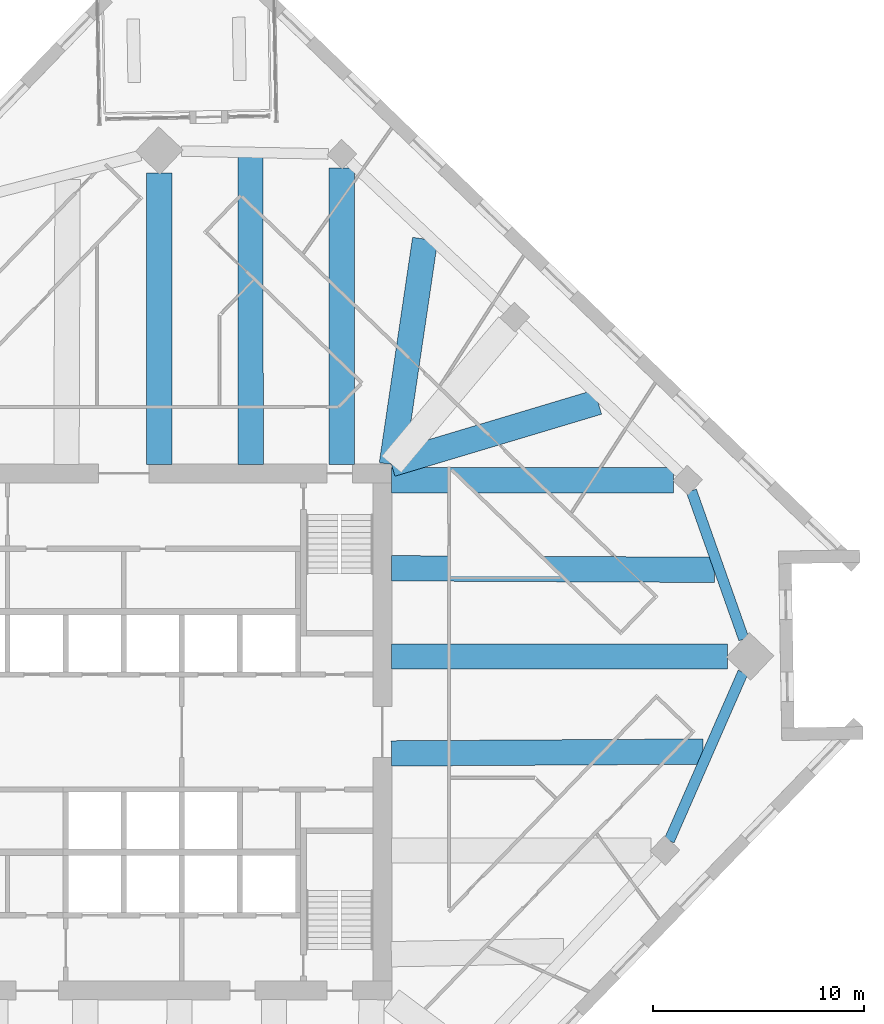
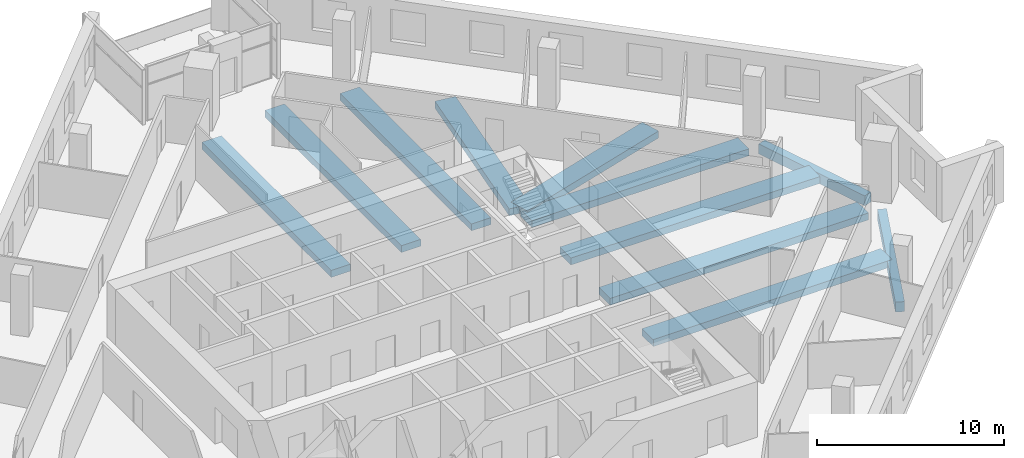
# One storey, part 3 of 13: 11 beams.
"""IFC4 building model written with IfcOpenShell, lengths in metres."""

from ifc_helpers import new_model, si_unit, direction, frame, origin, origin_2d, place, context, subcontext, project, spatial, rectangle, extrude, material, material_profile, profile_set, type_object, element, save


model = new_model("IFC4")

# Units and contexts
model_context = context("Model", 3, precision=1e-05, world=origin(), true_north=direction((0.0, 1.0)))
body_context = subcontext(model_context, "Body", "Model", "MODEL_VIEW")
ifc_project = project(units=[si_unit("LENGTHUNIT", "METRE"), si_unit("AREAUNIT", "SQUARE_METRE"), si_unit("VOLUMEUNIT", "CUBIC_METRE"), si_unit("PLANEANGLEUNIT", "RADIAN"), si_unit("MASSUNIT", "GRAM", prefix="KILO")], contexts=[model_context])

# Site, building, storey
site_placement = place(None, origin())
site = spatial("IfcSite", under=ifc_project, at=site_placement, CompositionType="ELEMENT")
building_placement = place(site_placement, origin())
building = spatial("IfcBuilding", under=site, at=building_placement, Name="Dilmun Exchange Tower", CompositionType="ELEMENT")
storey_placement = place(building_placement, frame((0.0, 0.0, 213.300048828125)))
storey = spatial("IfcBuildingStorey", under=building, at=storey_placement, Name="L50", CompositionType="ELEMENT", Elevation=213.300048828125)

# Beams
ifc_material = material(Name="Concrete C40/50", Category="concrete")
ifc_material_profile_1 = material_profile(ifc_material, rectangle(XDim=1.199951171875, YDim=0.449951171875, at=origin_2d()), Name="1200 x 450")
ifc_profile_set_1 = profile_set([ifc_material_profile_1], Name="Concrete C40/50")
beam_type_1 = type_object("IfcBeamType", Name="RC band beam 1200 x 450 C40/50", PredefinedType="BEAM", material=ifc_profile_set_1)
beam_1_placement = place(storey_placement, frame((1.68505859375, 26.465576171875, -0.705078125), z_axis=(0.0, -1.0, 0.0), x_axis=(1.0, 0.0, 0.0)))
element("IfcBeam", 1, at=beam_1_placement, inside=storey, type_object=beam_type_1, Name="Band beam 1", PredefinedType="BEAM", context=body_context, shape_type="SweptSolid", body=[
    extrude(rectangle(XDim=1.199951171875, YDim=0.449951171875, at=origin_2d()), origin(), (0.0, 0.0, 1.0), 13.79248046875),
])
beam_2_placement = place(storey_placement, frame((28.586669921875, 3.58203125, -0.705078125), z_axis=(-1.0, 0.0, 0.0), x_axis=(0.0, -1.0, 0.0)))
element("IfcBeam", 2, at=beam_2_placement, inside=storey, type_object=beam_type_1, Name="Band beam 13", PredefinedType="BEAM", context=body_context, shape_type="SweptSolid", body=[
    extrude(rectangle(XDim=1.199951171875, YDim=0.449951171875, at=origin_2d()), origin(), (0.0, 0.0, 1.0), 15.91357421875),
])
beam_3_placement = place(storey_placement, frame((26.0458984375, 11.930908203125, -0.705078125), z_axis=(-1.0, 0.0, 0.0), x_axis=(0.0, -1.0, 0.0)))
element("IfcBeam", 3, at=beam_3_placement, inside=storey, type_object=beam_type_1, Name="Band beam 14", PredefinedType="BEAM", context=body_context, shape_type="SweptSolid", body=[
    extrude(rectangle(XDim=1.199951171875, YDim=0.449951171875, at=origin_2d()), origin(), (0.0, 0.0, 1.0), 13.372802734375),
])
beam_4_placement = place(storey_placement, frame((10.3330078125, 26.703857421875, -0.705078125), z_axis=(0.0, -1.0, 0.0), x_axis=(1.0, 0.0, 0.0)))
element("IfcBeam", 4, at=beam_4_placement, inside=storey, type_object=beam_type_1, Name="Band beam 16", PredefinedType="BEAM", context=body_context, shape_type="SweptSolid", body=[
    extrude(rectangle(XDim=1.199951171875, YDim=0.449951171875, at=origin_2d()), origin(), (0.0, 0.0, 1.0), 14.03076171875),
])
beam_5_placement = place(storey_placement, frame((27.441650390625, -0.924072265625, -0.60498046875), z_axis=(-0.999981696912, -0.006050276087, 0.0), x_axis=(0.006050276087, -0.999981696912, 0.0)))
element("IfcBeam", 5, at=beam_5_placement, inside=storey, type_object=beam_type_1, Name="Band beam 28", PredefinedType="BEAM", context=body_context, shape_type="SweptSolid", body=[
    extrude(rectangle(XDim=1.199951171875, YDim=0.449951171875, at=origin_2d()), origin(), (0.0, 0.0, 1.0), 14.768798828125),
])
beam_6_placement = place(storey_placement, frame((27.972412109375, 7.68212890625, -0.60498046875), z_axis=(-0.99998815601, 0.004867015408, 0.0), x_axis=(-0.004867015408, -0.99998815601, 0.0)))
element("IfcBeam", 6, at=beam_6_placement, inside=storey, type_object=beam_type_1, Name="Band beam 29", PredefinedType="BEAM", context=body_context, shape_type="SweptSolid", body=[
    extrude(rectangle(XDim=1.199951171875, YDim=0.449951171875, at=origin_2d()), origin(), (0.0, 0.0, 1.0), 15.299560546875),
])
beam_7_placement = place(storey_placement, frame((22.4599609375, 15.626708984375, -0.60498046875), z_axis=(-0.957849959988, -0.287268957862, 0.0), x_axis=(0.287268957862, -0.957849959988, 0.0)))
element("IfcBeam", 7, at=beam_7_placement, inside=storey, type_object=beam_type_1, Name="Band beam 30", PredefinedType="BEAM", context=body_context, shape_type="SweptSolid", body=[
    extrude(rectangle(XDim=1.199951171875, YDim=0.449951171875, at=origin_2d()), origin(), (0.0, 0.0, 1.0), 10.21630859375),
])
beam_8_placement = place(storey_placement, frame((14.2734375, 23.34326171875, -0.60498046875), z_axis=(-0.146268101323, -0.989244986106, 0.0), x_axis=(0.989244986106, -0.146268101323, 0.0)))
element("IfcBeam", 8, at=beam_8_placement, inside=storey, type_object=beam_type_1, Name="Band beam 31", PredefinedType="BEAM", context=body_context, shape_type="SweptSolid", body=[
    extrude(rectangle(XDim=1.199951171875, YDim=0.449951171875, at=origin_2d()), origin(), (0.0, 0.0, 1.0), 10.785888671875),
])
beam_9_placement = place(storey_placement, frame((6.00439453125, 27.22802734375, -0.60498046875), z_axis=(0.000318701025, -0.999999949215, 0.0), x_axis=(0.999999949215, 0.000318701025, 0.0)))
element("IfcBeam", 9, at=beam_9_placement, inside=storey, type_object=beam_type_1, Name="Band beam 32", PredefinedType="BEAM", context=body_context, shape_type="SweptSolid", body=[
    extrude(rectangle(XDim=1.199951171875, YDim=0.449951171875, at=origin_2d()), origin(), (0.0, 0.0, 1.0), 14.554931640625),
])
ifc_material_profile_2 = material_profile(ifc_material, rectangle(XDim=0.5, YDim=0.64990234375, at=origin_2d()), Name="500 x 650")
ifc_profile_set_2 = profile_set([ifc_material_profile_2], Name="Concrete C40/50")
beam_type_2 = type_object("IfcBeamType", Name="RC ring beam 500 x 650 C40/50", PredefinedType="SPANDREL", material=ifc_profile_set_2)
beam_10_placement = place(storey_placement, frame((25.835205078125, -5.1474609375, -0.705078125), z_axis=(0.401239440722, 0.915973204416, 0.0), x_axis=(-0.915973204416, 0.401239440722, 0.0)))
element("IfcBeam", 10, at=beam_10_placement, inside=storey, type_object=beam_type_2, Name="Ring beam 12", PredefinedType="SPANDREL", context=body_context, shape_type="SweptSolid", body=[
    extrude(rectangle(XDim=0.5, YDim=0.64990234375, at=origin_2d()), origin(), (0.0, 0.0, 1.0), 8.707763671875),
])
beam_11_placement = place(storey_placement, frame((29.367919921875, 4.404541015625, -0.705078125), z_axis=(-0.333423578623, 0.942777130195, 0.0), x_axis=(-0.942777130195, -0.333423578623, 0.0)))
element("IfcBeam", 11, at=beam_11_placement, inside=storey, type_object=beam_type_2, Name="Ring beam 13", PredefinedType="SPANDREL", context=body_context, shape_type="SweptSolid", body=[
    extrude(rectangle(XDim=0.5, YDim=0.64990234375, at=origin_2d()), origin(), (0.0, 0.0, 1.0), 7.4482421875),
])

save(model, "model.ifc")
